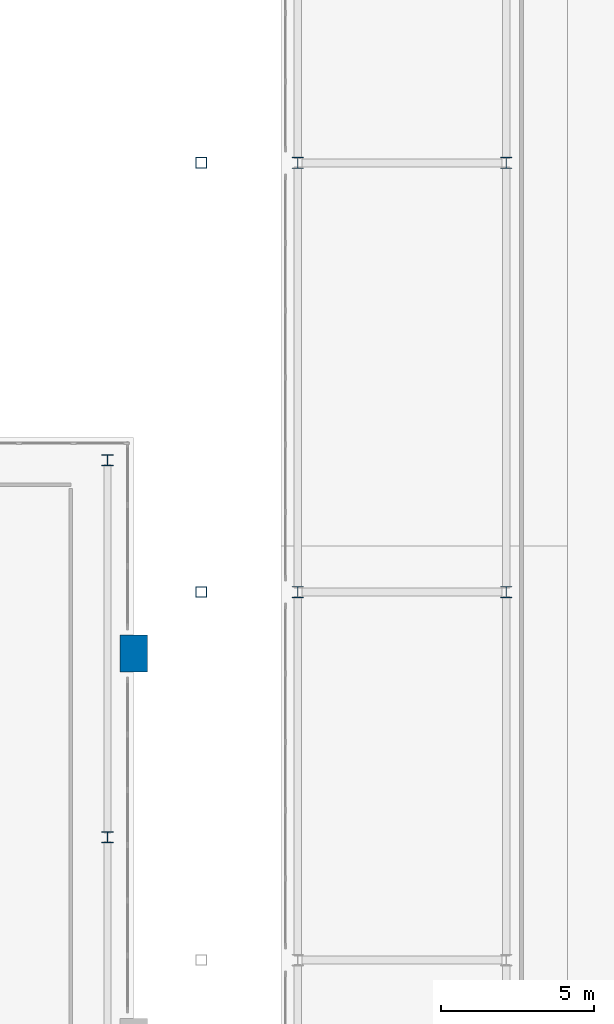
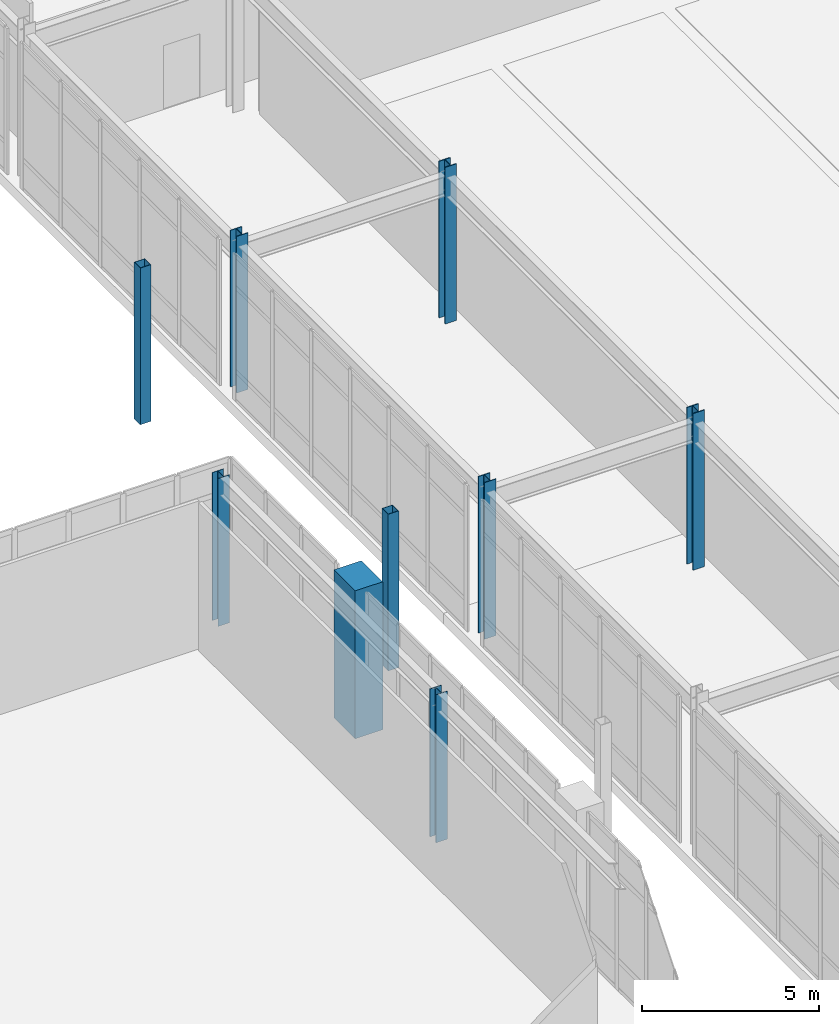
# One storey, part 10 of 159: 9 columns.
"""IFC4 building model written with IfcOpenShell, lengths in metres."""

from ifc_helpers import new_model, si_unit, derived_unit, direction, frame, origin, origin_2d, place, context, subcontext, project, spatial, rectangle, hollow_rectangle, i_section, extrude, material, material_profile, profile_set, type_object, element, save


model = new_model("IFC4")

# Units and contexts
model_context = context("Model", 3, precision=1e-05, world=origin(), true_north=direction((0.0, 1.0)))
body_context = subcontext(model_context, "Body", "Model", "MODEL_VIEW")
ifc_project = project(units=[si_unit("LENGTHUNIT", "METRE"), si_unit("AREAUNIT", "SQUARE_METRE"), si_unit("VOLUMEUNIT", "CUBIC_METRE"), si_unit("PLANEANGLEUNIT", "RADIAN"), si_unit("MASSUNIT", "GRAM", prefix="KILO"), derived_unit("THERMALTRANSMITTANCEUNIT", [(si_unit("MASSUNIT", "GRAM", prefix="KILO"), 1), (si_unit("TIMEUNIT", "SECOND"), -3), (si_unit("THERMODYNAMICTEMPERATUREUNIT", "KELVIN"), -1)])], contexts=[model_context])

# Site, building, storey
site_placement = place(None, origin())
site = spatial("IfcSite", under=ifc_project, at=site_placement, CompositionType="ELEMENT")
building_placement = place(site_placement, origin())
building = spatial("IfcBuilding", under=site, at=building_placement, Name="Valcora Ridge Arena", CompositionType="ELEMENT")
storey_placement = place(building_placement, frame((0.0, 0.0, 6.0)))
storey = spatial("IfcBuildingStorey", under=building, at=storey_placement, Name="L01", CompositionType="ELEMENT", Elevation=6.0)

# Columns
ifc_material_1 = material(Name="Bush-hammered Andean travertine architectural concrete C45/55", Category="masonry")
ifc_material_profile_1 = material_profile(ifc_material_1, rectangle(XDim=0.89990234375, YDim=1.199951171875, at=origin_2d()), Name="RC 900x1200")
ifc_profile_set_1 = profile_set([ifc_material_profile_1], Name="Bush-hammered Andean travertine architectural concrete C45/55")
column_type_1 = type_object("IfcColumnType", Name="TY-COLUMN-C-BUTT-1200", PredefinedType="PILASTER", material=ifc_profile_set_1)
column_placement = place(storey_placement, frame((131.85009765625, 38.0, 0.0), z_axis=(0.0, 0.0, 1.0), x_axis=(1.0, 0.0, 0.0)))
element("IfcColumn", 1, at=column_placement, inside=storey, type_object=column_type_1, Name="C-BUTT-1200 COL-C-BUTT-1200-0436", PredefinedType="PILASTER", context=body_context, shape_type="SweptSolid", body=[
    extrude(rectangle(XDim=0.89990234375, YDim=1.199951171875, at=origin_2d()), origin(), (0.0, 0.0, 1.0), 5.10009765625),
])
ifc_material_2 = material(Name="Steel ASTM A500 Grade C", Category="steel")
ifc_material_profile_2 = material_profile(ifc_material_2, hollow_rectangle(XDim=0.35009765625, YDim=0.35009765625, WallThickness=0.01611328125, at=origin_2d()), Name="HSS350X350X16")
ifc_profile_set_2 = profile_set([ifc_material_profile_2], Name="Steel ASTM A500 Grade C")
column_type_2 = type_object("IfcColumnType", Name="TY-COLUMN-C-COL350", PredefinedType="COLUMN", material=ifc_profile_set_2)
for number, where, z_axis, x_axis, name in (
    (2, (134.050048828125, 40.0, 0.0), (0.0, 0.0, 1.0), (1.0, 0.0, 0.0), "C-COL350 COL-C-COL350-0011"),
    (3, (134.050048828125, 54.0, 0.0), (0.0, 0.0, 1.0), (1.0, 0.0, 0.0), "C-COL350 COL-C-COL350-0014"),
):
    element("IfcColumn", number, at=place(storey_placement, frame(where, z_axis=z_axis, x_axis=x_axis)), inside=storey, type_object=column_type_2, Name=name, PredefinedType="COLUMN", context=body_context, shape_type="SweptSolid", body=[
        extrude(hollow_rectangle(XDim=0.35009765625, YDim=0.35009765625, WallThickness=0.01611328125, at=origin_2d()), origin(), (0.0, 0.0, 1.0), 5.39990234375),
    ])
ifc_material_3 = material(Name="Steel ASTM A572 Grade 50", Category="steel")
ifc_material_profile_3 = material_profile(ifc_material_3, i_section(OverallWidth=0.3740234375, OverallDepth=0.373046875, WebThickness=0.016357421875, FlangeThickness=0.026123046875, FilletRadius=0.01806640625, at=origin_2d()), Name="W14X132")
ifc_profile_set_3 = profile_set([ifc_material_profile_3], Name="Steel ASTM A572 Grade 50")
column_type_3 = type_object("IfcColumnType", Name="TY-COLUMN-C-STL14B", PredefinedType="COLUMN", material=ifc_profile_set_3)
for number, where, z_axis, x_axis, name in (
    (4, (137.199951171875, 40.0, 0.0), (0.0, 0.0, 1.0), (1.0, 0.0, 0.0), "C-STL14B COL-C-STL14B-0007"),
    (5, (137.199951171875, 54.0, 0.0), (0.0, 0.0, 1.0), (1.0, 0.0, 0.0), "C-STL14B COL-C-STL14B-0009"),
    (6, (144.0, 40.0, 0.0), (0.0, 0.0, 1.0), (1.0, 0.0, 0.0), "C-STL14B COL-C-STL14B-0021"),
    (7, (144.0, 54.0, 0.0), (0.0, 0.0, 1.0), (1.0, 0.0, 0.0), "C-STL14B COL-C-STL14B-0023"),
):
    element("IfcColumn", number, at=place(storey_placement, frame(where, z_axis=z_axis, x_axis=x_axis)), inside=storey, type_object=column_type_3, Name=name, PredefinedType="COLUMN", context=body_context, shape_type="SweptSolid", body=[
        extrude(i_section(OverallWidth=0.3740234375, OverallDepth=0.373046875, WebThickness=0.016357421875, FlangeThickness=0.026123046875, FilletRadius=0.01806640625, at=origin_2d()), origin(), (0.0, 0.0, 1.0), 5.39990234375),
    ])
ifc_material_profile_4 = material_profile(ifc_material_3, i_section(OverallWidth=0.368896484375, OverallDepth=0.35595703125, WebThickness=0.01123046875, FlangeThickness=0.01806640625, FilletRadius=0.01806640625, at=origin_2d()), Name="W14X90")
ifc_profile_set_4 = profile_set([ifc_material_profile_4], Name="Steel ASTM A572 Grade 50")
column_type_4 = type_object("IfcColumnType", Name="TY-COLUMN-C-STL14D", PredefinedType="COLUMN", material=ifc_profile_set_4)
for number, where, z_axis, x_axis, name in (
    (8, (131.0, 32.0, 0.0), (0.0, 0.0, 1.0), (1.0, 0.0, 0.0), "C-STL14D COL-C-STL14D-0014"),
    (9, (131.0, 44.300048828125, 0.0), (0.0, 0.0, 1.0), (1.0, 0.0, 0.0), "C-STL14D COL-C-STL14D-0016"),
):
    element("IfcColumn", number, at=place(storey_placement, frame(where, z_axis=z_axis, x_axis=x_axis)), inside=storey, type_object=column_type_4, Name=name, PredefinedType="COLUMN", context=body_context, shape_type="SweptSolid", body=[
        extrude(i_section(OverallWidth=0.368896484375, OverallDepth=0.35595703125, WebThickness=0.01123046875, FlangeThickness=0.01806640625, FilletRadius=0.01806640625, at=origin_2d()), origin(), (0.0, 0.0, 1.0), 5.10009765625),
    ])

save(model, "model.ifc")
